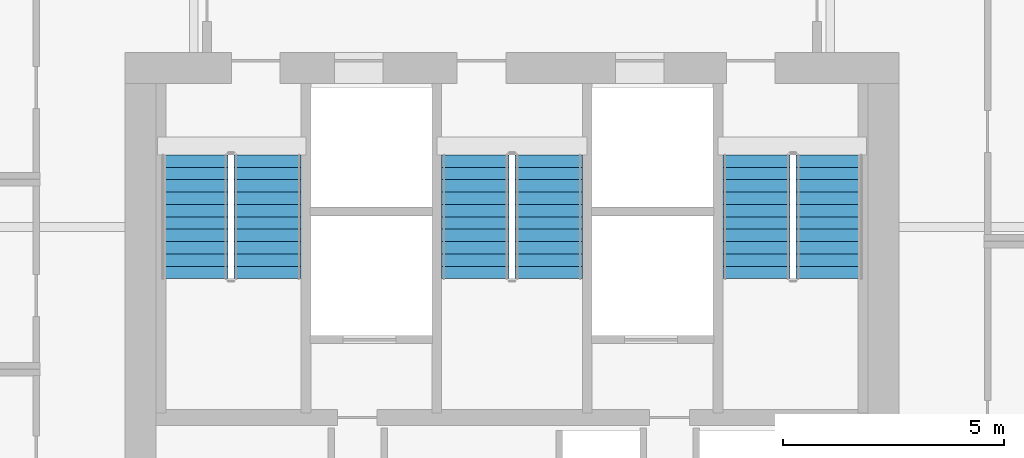
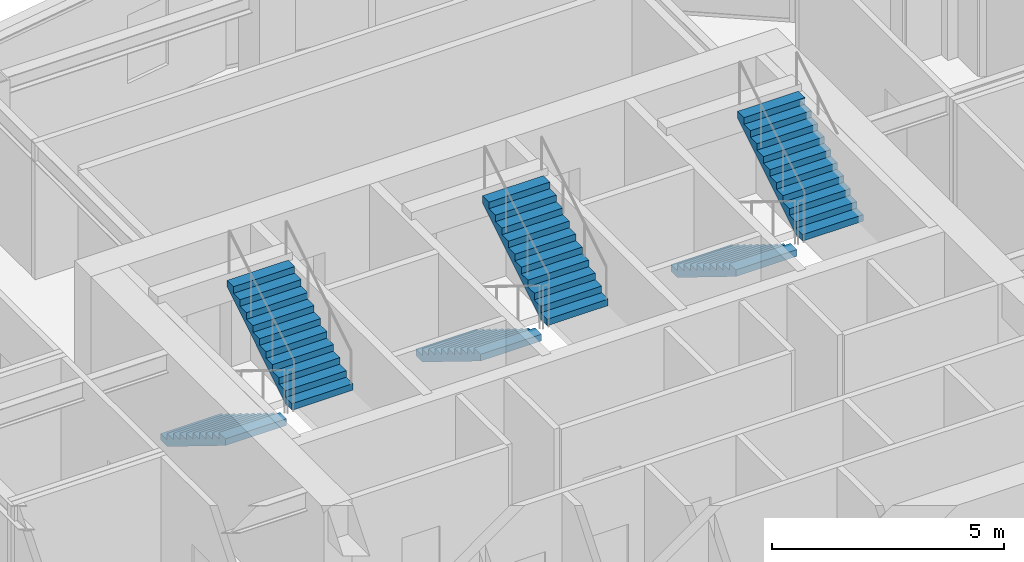
# One storey, part 12 of 14: 6 stair flights, 3 elements without a shape of their own.
"""IFC4 building model written with IfcOpenShell, lengths in metres."""

from ifc_helpers import new_model, si_unit, direction, frame, origin, place, context, subcontext, project, spatial, polyline, outline, extrude, material, type_object, element, aggregate, save


model = new_model("IFC4")

# Units and contexts
model_context = context("Model", 3, precision=1e-05, world=origin(), true_north=direction((0.0, 1.0)))
body_context = subcontext(model_context, "Body", "Model", "MODEL_VIEW")
ifc_project = project(units=[si_unit("LENGTHUNIT", "METRE"), si_unit("AREAUNIT", "SQUARE_METRE"), si_unit("VOLUMEUNIT", "CUBIC_METRE"), si_unit("PLANEANGLEUNIT", "RADIAN"), si_unit("MASSUNIT", "GRAM", prefix="KILO")], contexts=[model_context])

# Site, building, storey
site_placement = place(None, origin())
site = spatial("IfcSite", under=ifc_project, at=site_placement, CompositionType="ELEMENT")
building_placement = place(site_placement, origin())
building = spatial("IfcBuilding", under=site, at=building_placement, Name="Haolan Belvedere Tower", CompositionType="ELEMENT")
storey_placement = place(building_placement, frame((0.0, 0.0, 141.0)))
storey = spatial("IfcBuildingStorey", under=building, at=storey_placement, Name="L35", CompositionType="ELEMENT", Elevation=141.0)

# Stair, stair flights
ifc_material = material(Name="Concrete C40/50", Category="concrete")
stair_type = type_object("IfcStairType", Name="STR-DL-22R-173", PredefinedType="HALF_TURN_STAIR", material=ifc_material)
stair_1_placement = place(storey_placement, origin())
stair_1 = element("IfcStair", 1, at=stair_1_placement, inside=storey, type_object=stair_type, Name="L35 Smokeproof Core Exit Stair ST1", PredefinedType="HALF_TURN_STAIR")
stair_flight_type = type_object("IfcStairFlightType", Name="SFL-DL-11R-173", PredefinedType="STRAIGHT", material=ifc_material)
stair_flight_1_placement = place(storey_placement, frame((31.2099609375, 41.22998046875, 0.0), z_axis=(0.0, 0.0, 1.0), x_axis=(0.0, -1.0, 0.0)))
stair_flight_1 = element("IfcStairFlight", 2, at=stair_flight_1_placement, type_object=stair_flight_type, Name="ST1 flight 1", NumberOfRisers=11, NumberOfTreads=10, PredefinedType="STRAIGHT", RiserHeight=0.172727273, TreadLength=0.28, context=body_context, shape_type="SweptSolid", body=[
    extrude(outline(polyline([(0.0, 0.0), (0.0, 0.172607421875), (0.280029296875, 0.172607421875), (0.280029296875, 0.345458984375), (0.56005859375, 0.345458984375), (0.56005859375, 0.51806640625), (0.840087890625, 0.51806640625), (0.840087890625, 0.69091796875), (1.1201171875, 0.69091796875), (1.1201171875, 0.863525390625), (1.39990234375, 0.863525390625), (1.39990234375, 1.036376953125), (1.679931640625, 1.036376953125), (1.679931640625, 1.208984375), (1.9599609375, 1.208984375), (1.9599609375, 1.3818359375), (2.239990234375, 1.3818359375), (2.239990234375, 1.554443359375), (2.52001953125, 1.554443359375), (2.52001953125, 1.727294921875), (2.800048828125, 1.727294921875), (2.800048828125, 1.89990234375), (2.800048828125, 1.551025390625), (0.285400390625, 0.0), (0.0, 0.0)])), frame((0.0, 0.760009765625, 0.0), z_axis=(0.0, -1.0, 0.0), x_axis=(1.0, 0.0, 0.0)), (0.0, 0.0, 1.0), 1.52001953125),
])
stair_flight_2_placement = place(storey_placement, frame((32.8701171875, 38.429931640625, 1.89990234375), z_axis=(0.0, 0.0, 1.0), x_axis=(0.0, 1.0, 0.0)))
stair_flight_2 = element("IfcStairFlight", 3, at=stair_flight_2_placement, type_object=stair_flight_type, Name="ST1 flight 2", NumberOfRisers=11, NumberOfTreads=10, PredefinedType="STRAIGHT", RiserHeight=0.172727273, TreadLength=0.28, context=body_context, shape_type="SweptSolid", body=[
    extrude(outline(polyline([(0.0, 0.0), (0.0, 0.172607421875), (0.280029296875, 0.172607421875), (0.280029296875, 0.345458984375), (0.56005859375, 0.345458984375), (0.56005859375, 0.51806640625), (0.840087890625, 0.51806640625), (0.840087890625, 0.69091796875), (1.1201171875, 0.69091796875), (1.1201171875, 0.863525390625), (1.39990234375, 0.863525390625), (1.39990234375, 1.036376953125), (1.679931640625, 1.036376953125), (1.679931640625, 1.208984375), (1.9599609375, 1.208984375), (1.9599609375, 1.3818359375), (2.239990234375, 1.3818359375), (2.239990234375, 1.554443359375), (2.52001953125, 1.554443359375), (2.52001953125, 1.727294921875), (2.800048828125, 1.727294921875), (2.800048828125, 1.89990234375), (2.800048828125, 1.551025390625), (0.285400390625, 0.0), (0.0, 0.0)])), frame((0.0, 0.760009765625, 0.0), z_axis=(0.0, -1.0, 0.0), x_axis=(1.0, 0.0, 0.0)), (0.0, 0.0, 1.0), 1.52001953125),
])
aggregate(stair_1, [stair_flight_1, stair_flight_2])

stair_2_placement = place(storey_placement, origin())
stair_2 = element("IfcStair", 4, at=stair_2_placement, inside=storey, type_object=stair_type, Name="L35 Smokeproof Core Exit Stair ST3", PredefinedType="HALF_TURN_STAIR")
stair_flight_3_placement = place(storey_placement, frame((37.570068359375, 41.22998046875, 0.0), z_axis=(0.0, 0.0, 1.0), x_axis=(0.0, -1.0, 0.0)))
stair_flight_3 = element("IfcStairFlight", 5, at=stair_flight_3_placement, type_object=stair_flight_type, Name="ST3 flight 1", NumberOfRisers=11, NumberOfTreads=10, PredefinedType="STRAIGHT", RiserHeight=0.172727273, TreadLength=0.28, context=body_context, shape_type="SweptSolid", body=[
    extrude(outline(polyline([(0.0, 0.0), (0.0, 0.172607421875), (0.280029296875, 0.172607421875), (0.280029296875, 0.345458984375), (0.56005859375, 0.345458984375), (0.56005859375, 0.51806640625), (0.840087890625, 0.51806640625), (0.840087890625, 0.69091796875), (1.1201171875, 0.69091796875), (1.1201171875, 0.863525390625), (1.39990234375, 0.863525390625), (1.39990234375, 1.036376953125), (1.679931640625, 1.036376953125), (1.679931640625, 1.208984375), (1.9599609375, 1.208984375), (1.9599609375, 1.3818359375), (2.239990234375, 1.3818359375), (2.239990234375, 1.554443359375), (2.52001953125, 1.554443359375), (2.52001953125, 1.727294921875), (2.800048828125, 1.727294921875), (2.800048828125, 1.89990234375), (2.800048828125, 1.551025390625), (0.285400390625, 0.0), (0.0, 0.0)])), frame((0.0, 0.760009765625, 0.0), z_axis=(0.0, -1.0, 0.0), x_axis=(1.0, 0.0, 0.0)), (0.0, 0.0, 1.0), 1.52001953125),
])
stair_flight_4_placement = place(storey_placement, frame((39.22998046875, 38.429931640625, 1.89990234375), z_axis=(0.0, 0.0, 1.0), x_axis=(0.0, 1.0, 0.0)))
stair_flight_4 = element("IfcStairFlight", 6, at=stair_flight_4_placement, type_object=stair_flight_type, Name="ST3 flight 2", NumberOfRisers=11, NumberOfTreads=10, PredefinedType="STRAIGHT", RiserHeight=0.172727273, TreadLength=0.28, context=body_context, shape_type="SweptSolid", body=[
    extrude(outline(polyline([(0.0, 0.0), (0.0, 0.172607421875), (0.280029296875, 0.172607421875), (0.280029296875, 0.345458984375), (0.56005859375, 0.345458984375), (0.56005859375, 0.51806640625), (0.840087890625, 0.51806640625), (0.840087890625, 0.69091796875), (1.1201171875, 0.69091796875), (1.1201171875, 0.863525390625), (1.39990234375, 0.863525390625), (1.39990234375, 1.036376953125), (1.679931640625, 1.036376953125), (1.679931640625, 1.208984375), (1.9599609375, 1.208984375), (1.9599609375, 1.3818359375), (2.239990234375, 1.3818359375), (2.239990234375, 1.554443359375), (2.52001953125, 1.554443359375), (2.52001953125, 1.727294921875), (2.800048828125, 1.727294921875), (2.800048828125, 1.89990234375), (2.800048828125, 1.551025390625), (0.285400390625, 0.0), (0.0, 0.0)])), frame((0.0, 0.760009765625, 0.0), z_axis=(0.0, -1.0, 0.0), x_axis=(1.0, 0.0, 0.0)), (0.0, 0.0, 1.0), 1.52001953125),
])
aggregate(stair_2, [stair_flight_3, stair_flight_4])

stair_3_placement = place(storey_placement, origin())
stair_3 = element("IfcStair", 7, at=stair_3_placement, inside=storey, type_object=stair_type, Name="L35 Smokeproof Core Exit Stair ST2", PredefinedType="HALF_TURN_STAIR")
stair_flight_5_placement = place(storey_placement, frame((43.929931640625, 41.22998046875, 0.0), z_axis=(0.0, 0.0, 1.0), x_axis=(0.0, -1.0, 0.0)))
stair_flight_5 = element("IfcStairFlight", 8, at=stair_flight_5_placement, type_object=stair_flight_type, Name="ST2 flight 1", NumberOfRisers=11, NumberOfTreads=10, PredefinedType="STRAIGHT", RiserHeight=0.172727273, TreadLength=0.28, context=body_context, shape_type="SweptSolid", body=[
    extrude(outline(polyline([(0.0, 0.0), (0.0, 0.172607421875), (0.280029296875, 0.172607421875), (0.280029296875, 0.345458984375), (0.56005859375, 0.345458984375), (0.56005859375, 0.51806640625), (0.840087890625, 0.51806640625), (0.840087890625, 0.69091796875), (1.1201171875, 0.69091796875), (1.1201171875, 0.863525390625), (1.39990234375, 0.863525390625), (1.39990234375, 1.036376953125), (1.679931640625, 1.036376953125), (1.679931640625, 1.208984375), (1.9599609375, 1.208984375), (1.9599609375, 1.3818359375), (2.239990234375, 1.3818359375), (2.239990234375, 1.554443359375), (2.52001953125, 1.554443359375), (2.52001953125, 1.727294921875), (2.800048828125, 1.727294921875), (2.800048828125, 1.89990234375), (2.800048828125, 1.551025390625), (0.285400390625, 0.0), (0.0, 0.0)])), frame((0.0, 0.760009765625, 0.0), z_axis=(0.0, -1.0, 0.0), x_axis=(1.0, 0.0, 0.0)), (0.0, 0.0, 1.0), 1.52001953125),
])
stair_flight_6_placement = place(storey_placement, frame((45.590087890625, 38.429931640625, 1.89990234375), z_axis=(0.0, 0.0, 1.0), x_axis=(0.0, 1.0, 0.0)))
stair_flight_6 = element("IfcStairFlight", 9, at=stair_flight_6_placement, type_object=stair_flight_type, Name="ST2 flight 2", NumberOfRisers=11, NumberOfTreads=10, PredefinedType="STRAIGHT", RiserHeight=0.172727273, TreadLength=0.28, context=body_context, shape_type="SweptSolid", body=[
    extrude(outline(polyline([(0.0, 0.0), (0.0, 0.172607421875), (0.280029296875, 0.172607421875), (0.280029296875, 0.345458984375), (0.56005859375, 0.345458984375), (0.56005859375, 0.51806640625), (0.840087890625, 0.51806640625), (0.840087890625, 0.69091796875), (1.1201171875, 0.69091796875), (1.1201171875, 0.863525390625), (1.39990234375, 0.863525390625), (1.39990234375, 1.036376953125), (1.679931640625, 1.036376953125), (1.679931640625, 1.208984375), (1.9599609375, 1.208984375), (1.9599609375, 1.3818359375), (2.239990234375, 1.3818359375), (2.239990234375, 1.554443359375), (2.52001953125, 1.554443359375), (2.52001953125, 1.727294921875), (2.800048828125, 1.727294921875), (2.800048828125, 1.89990234375), (2.800048828125, 1.551025390625), (0.285400390625, 0.0), (0.0, 0.0)])), frame((0.0, 0.760009765625, 0.0), z_axis=(0.0, -1.0, 0.0), x_axis=(1.0, 0.0, 0.0)), (0.0, 0.0, 1.0), 1.52001953125),
])
aggregate(stair_3, [stair_flight_5, stair_flight_6])

save(model, "model.ifc")
